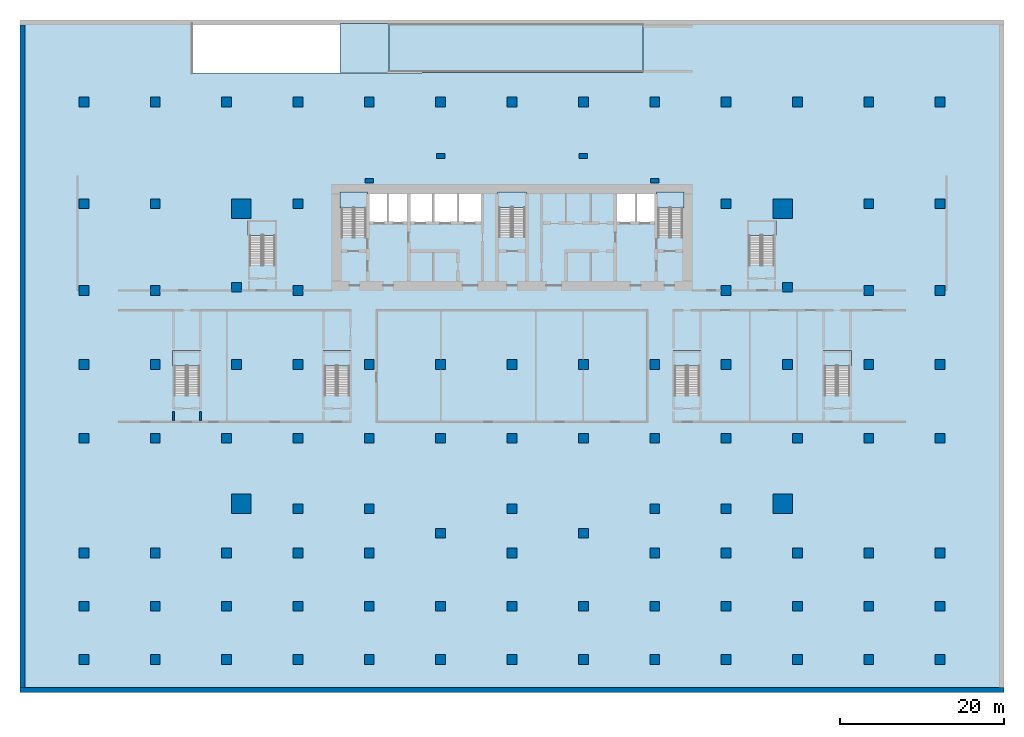
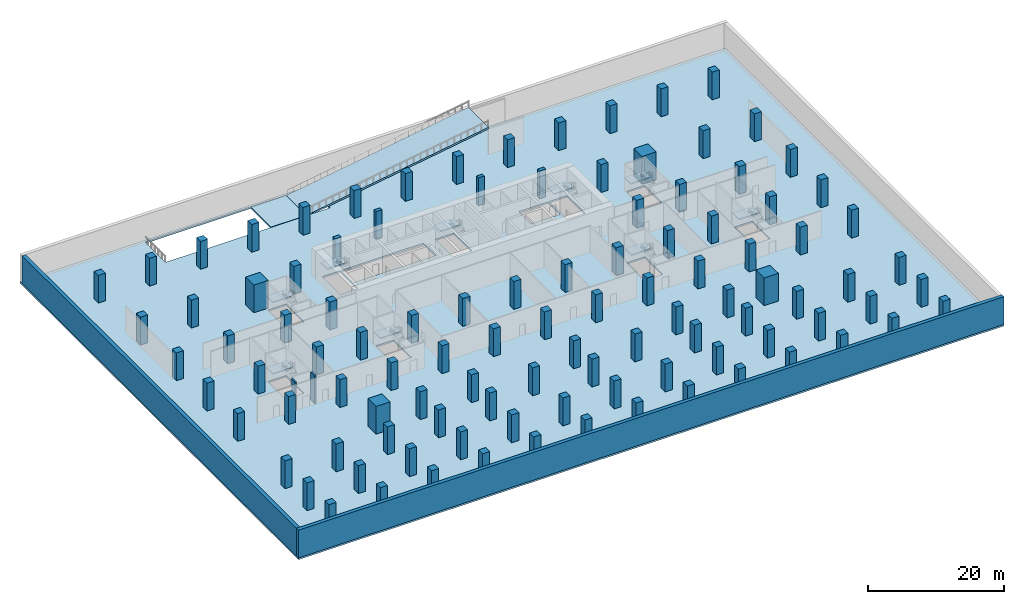
# One storey, part 1 of 8: 105 columns, 12 slabs, 4 walls, 9 elements without a shape of their own.
"""IFC4 building model written with IfcOpenShell, lengths in metres."""

from ifc_helpers import new_model, si_unit, direction, frame, frame_2d, origin, origin_2d, place, context, subcontext, project, spatial, polyline, rectangle, outline, extrude, material, layer, layer_set, material_profile, profile_set, type_object, element, aggregate, save


model = new_model("IFC4")

# Units and contexts
model_context = context("Model", 3, precision=1e-05, world=origin(), true_north=direction((0.0, 1.0)))
body_context = subcontext(model_context, "Body", "Model", "MODEL_VIEW")
ifc_project = project(units=[si_unit("LENGTHUNIT", "METRE"), si_unit("AREAUNIT", "SQUARE_METRE"), si_unit("VOLUMEUNIT", "CUBIC_METRE"), si_unit("PLANEANGLEUNIT", "RADIAN"), si_unit("MASSUNIT", "GRAM", prefix="KILO")], contexts=[model_context])

# Site, building, storey
site_placement = place(None, origin())
site = spatial("IfcSite", under=ifc_project, at=site_placement, CompositionType="ELEMENT")
building_placement = place(site_placement, origin())
building = spatial("IfcBuilding", under=site, at=building_placement, Name="Bicima Exchange Tower", CompositionType="ELEMENT")
storey_placement = place(building_placement, frame((0.0, 0.0, -10.0)))
storey = spatial("IfcBuildingStorey", under=building, at=storey_placement, Name="B2", CompositionType="ELEMENT", Elevation=-10.0)

# Columns
ifc_material_1 = material(Name="Concrete C60/75", Category="concrete")
ifc_material_profile_1 = material_profile(ifc_material_1, rectangle(XDim=1.199951171875, YDim=1.199951171875, at=origin_2d()))
ifc_profile_set_1 = profile_set([ifc_material_profile_1], Name="Concrete C60/75")
column_type_1 = type_object("IfcColumnType", Name="Reinforced concrete basement column 1200 x 1200", PredefinedType="COLUMN", material=ifc_profile_set_1)
for number, where, z_axis, x_axis, name in (
    (1, (-26.10009765625, -39.60009765625, 0.0), (0.0, 0.0, 1.0), (1.0, 0.0, 0.0), "Column"),
    (2, (-26.10009765625, -2.39990234375, 0.0), (0.0, 0.0, 1.0), (1.0, 0.0, 0.0), "Column"),
    (3, (-17.39990234375, -39.60009765625, 0.0), (0.0, 0.0, 1.0), (1.0, 0.0, 0.0), "Column"),
    (4, (-8.699951171875, -42.591064453125, 0.0), (0.0, 0.0, 1.0), (1.0, 0.0, 0.0), "Column"),
    (5, (0.0, -39.60009765625, 0.0), (0.0, 0.0, 1.0), (1.0, 0.0, 0.0), "Column"),
    (6, (8.699951171875, -42.591064453125, 0.0), (0.0, 0.0, 1.0), (1.0, 0.0, 0.0), "Column"),
    (7, (17.39990234375, -39.60009765625, 0.0), (0.0, 0.0, 1.0), (1.0, 0.0, 0.0), "Column"),
    (8, (26.10009765625, -39.60009765625, 0.0), (0.0, 0.0, 1.0), (1.0, 0.0, 0.0), "Column"),
    (9, (26.10009765625, -2.39990234375, 0.0), (0.0, 0.0, 1.0), (1.0, 0.0, 0.0), "Column"),
    (10, (-33.60009765625, -12.60009765625, 0.0), (0.0, 0.0, 1.0), (1.0, 0.0, 0.0), "Column"),
    (11, (-33.60009765625, -22.0, 0.0), (0.0, 0.0, 1.0), (1.0, 0.0, 0.0), "Column"),
    (12, (33.60009765625, -12.60009765625, 0.0), (0.0, 0.0, 1.0), (1.0, 0.0, 0.0), "Column"),
    (13, (33.60009765625, -22.0, 0.0), (0.0, 0.0, 1.0), (1.0, 0.0, 0.0), "Column"),
    (14, (-26.10009765625, -22.0, 0.0), (0.0, 0.0, 1.0), (1.0, 0.0, 0.0), "Column"),
    (15, (-17.39990234375, -22.0, 0.0), (0.0, 0.0, 1.0), (1.0, 0.0, 0.0), "Column"),
    (16, (-8.699951171875, -22.0, 0.0), (0.0, 0.0, 1.0), (1.0, 0.0, 0.0), "Column"),
    (17, (0.0, -22.0, 0.0), (0.0, 0.0, 1.0), (1.0, 0.0, 0.0), "Column"),
    (18, (8.699951171875, -22.0, 0.0), (0.0, 0.0, 1.0), (1.0, 0.0, 0.0), "Column"),
    (19, (17.39990234375, -22.0, 0.0), (0.0, 0.0, 1.0), (1.0, 0.0, 0.0), "Column"),
    (20, (26.10009765625, -22.0, 0.0), (0.0, 0.0, 1.0), (1.0, 0.0, 0.0), "Column"),
    (21, (-52.199951171875, 10.0, 0.0), (0.0, 0.0, 1.0), (1.0, 0.0, 0.0), "Column"),
    (22, (-52.199951171875, -2.39990234375, 0.0), (0.0, 0.0, 1.0), (1.0, 0.0, 0.0), "Column"),
    (23, (-52.199951171875, -13.0, 0.0), (0.0, 0.0, 1.0), (1.0, 0.0, 0.0), "Column"),
    (24, (-52.199951171875, -22.0, 0.0), (0.0, 0.0, 1.0), (1.0, 0.0, 0.0), "Column"),
    (25, (-52.199951171875, -31.0, 0.0), (0.0, 0.0, 1.0), (1.0, 0.0, 0.0), "Column"),
    (26, (-52.199951171875, -45.0, 0.0), (0.0, 0.0, 1.0), (1.0, 0.0, 0.0), "Column"),
    (27, (-52.199951171875, -51.5, 0.0), (0.0, 0.0, 1.0), (1.0, 0.0, 0.0), "Column"),
    (28, (-52.199951171875, -58.0, 0.0), (0.0, 0.0, 1.0), (1.0, 0.0, 0.0), "Column"),
    (29, (-43.5, 10.0, 0.0), (0.0, 0.0, 1.0), (1.0, 0.0, 0.0), "Column"),
    (30, (-43.5, -2.39990234375, 0.0), (0.0, 0.0, 1.0), (1.0, 0.0, 0.0), "Column"),
    (31, (-43.5, -13.0, 0.0), (0.0, 0.0, 1.0), (1.0, 0.0, 0.0), "Column"),
    (32, (-43.5, -22.0, 0.0), (0.0, 0.0, 1.0), (1.0, 0.0, 0.0), "Column"),
    (33, (-43.5, -31.0, 0.0), (0.0, 0.0, 1.0), (1.0, 0.0, 0.0), "Column"),
    (34, (-43.5, -45.0, 0.0), (0.0, 0.0, 1.0), (1.0, 0.0, 0.0), "Column"),
    (35, (-43.5, -51.5, 0.0), (0.0, 0.0, 1.0), (1.0, 0.0, 0.0), "Column"),
    (36, (-43.5, -58.0, 0.0), (0.0, 0.0, 1.0), (1.0, 0.0, 0.0), "Column"),
    (37, (-34.800048828125, 10.0, 0.0), (0.0, 0.0, 1.0), (1.0, 0.0, 0.0), "Column"),
    (38, (-34.800048828125, -31.0, 0.0), (0.0, 0.0, 1.0), (1.0, 0.0, 0.0), "Column"),
    (39, (-34.800048828125, -45.0, 0.0), (0.0, 0.0, 1.0), (1.0, 0.0, 0.0), "Column"),
    (40, (-34.800048828125, -51.5, 0.0), (0.0, 0.0, 1.0), (1.0, 0.0, 0.0), "Column"),
    (41, (-34.800048828125, -58.0, 0.0), (0.0, 0.0, 1.0), (1.0, 0.0, 0.0), "Column"),
    (42, (-26.10009765625, 10.0, 0.0), (0.0, 0.0, 1.0), (1.0, 0.0, 0.0), "Column"),
    (43, (-26.10009765625, -13.0, 0.0), (0.0, 0.0, 1.0), (1.0, 0.0, 0.0), "Column"),
    (44, (-26.10009765625, -31.0, 0.0), (0.0, 0.0, 1.0), (1.0, 0.0, 0.0), "Column"),
    (45, (-26.10009765625, -45.0, 0.0), (0.0, 0.0, 1.0), (1.0, 0.0, 0.0), "Column"),
    (46, (-26.10009765625, -51.5, 0.0), (0.0, 0.0, 1.0), (1.0, 0.0, 0.0), "Column"),
    (47, (-26.10009765625, -58.0, 0.0), (0.0, 0.0, 1.0), (1.0, 0.0, 0.0), "Column"),
    (48, (-17.39990234375, 10.0, 0.0), (0.0, 0.0, 1.0), (1.0, 0.0, 0.0), "Column"),
    (49, (-17.39990234375, -31.0, 0.0), (0.0, 0.0, 1.0), (1.0, 0.0, 0.0), "Column"),
    (50, (-17.39990234375, -45.0, 0.0), (0.0, 0.0, 1.0), (1.0, 0.0, 0.0), "Column"),
    (51, (-17.39990234375, -51.5, 0.0), (0.0, 0.0, 1.0), (1.0, 0.0, 0.0), "Column"),
    (52, (-17.39990234375, -58.0, 0.0), (0.0, 0.0, 1.0), (1.0, 0.0, 0.0), "Column"),
    (53, (-8.699951171875, 10.0, 0.0), (0.0, 0.0, 1.0), (1.0, 0.0, 0.0), "Column"),
    (54, (-8.699951171875, -31.0, 0.0), (0.0, 0.0, 1.0), (1.0, 0.0, 0.0), "Column"),
    (55, (-8.699951171875, -51.5, 0.0), (0.0, 0.0, 1.0), (1.0, 0.0, 0.0), "Column"),
    (56, (-8.699951171875, -58.0, 0.0), (0.0, 0.0, 1.0), (1.0, 0.0, 0.0), "Column"),
    (57, (0.0, 10.0, 0.0), (0.0, 0.0, 1.0), (1.0, 0.0, 0.0), "Column"),
    (58, (0.0, -31.0, 0.0), (0.0, 0.0, 1.0), (1.0, 0.0, 0.0), "Column"),
    (59, (0.0, -45.0, 0.0), (0.0, 0.0, 1.0), (1.0, 0.0, 0.0), "Column"),
    (60, (0.0, -51.5, 0.0), (0.0, 0.0, 1.0), (1.0, 0.0, 0.0), "Column"),
    (61, (0.0, -58.0, 0.0), (0.0, 0.0, 1.0), (1.0, 0.0, 0.0), "Column"),
    (62, (8.699951171875, 10.0, 0.0), (0.0, 0.0, 1.0), (1.0, 0.0, 0.0), "Column"),
    (63, (8.699951171875, -31.0, 0.0), (0.0, 0.0, 1.0), (1.0, 0.0, 0.0), "Column"),
    (64, (8.699951171875, -51.5, 0.0), (0.0, 0.0, 1.0), (1.0, 0.0, 0.0), "Column"),
    (65, (8.699951171875, -58.0, 0.0), (0.0, 0.0, 1.0), (1.0, 0.0, 0.0), "Column"),
    (66, (17.39990234375, 10.0, 0.0), (0.0, 0.0, 1.0), (1.0, 0.0, 0.0), "Column"),
    (67, (17.39990234375, -31.0, 0.0), (0.0, 0.0, 1.0), (1.0, 0.0, 0.0), "Column"),
    (68, (17.39990234375, -45.0, 0.0), (0.0, 0.0, 1.0), (1.0, 0.0, 0.0), "Column"),
    (69, (17.39990234375, -51.5, 0.0), (0.0, 0.0, 1.0), (1.0, 0.0, 0.0), "Column"),
    (70, (17.39990234375, -58.0, 0.0), (0.0, 0.0, 1.0), (1.0, 0.0, 0.0), "Column"),
    (71, (26.10009765625, 10.0, 0.0), (0.0, 0.0, 1.0), (1.0, 0.0, 0.0), "Column"),
    (72, (26.10009765625, -13.0, 0.0), (0.0, 0.0, 1.0), (1.0, 0.0, 0.0), "Column"),
    (73, (26.10009765625, -31.0, 0.0), (0.0, 0.0, 1.0), (1.0, 0.0, 0.0), "Column"),
    (74, (26.10009765625, -45.0, 0.0), (0.0, 0.0, 1.0), (1.0, 0.0, 0.0), "Column"),
    (75, (26.10009765625, -51.5, 0.0), (0.0, 0.0, 1.0), (1.0, 0.0, 0.0), "Column"),
    (76, (26.10009765625, -58.0, 0.0), (0.0, 0.0, 1.0), (1.0, 0.0, 0.0), "Column"),
    (77, (34.800048828125, 10.0, 0.0), (0.0, 0.0, 1.0), (1.0, 0.0, 0.0), "Column"),
    (78, (34.800048828125, -31.0, 0.0), (0.0, 0.0, 1.0), (1.0, 0.0, 0.0), "Column"),
    (79, (34.800048828125, -45.0, 0.0), (0.0, 0.0, 1.0), (1.0, 0.0, 0.0), "Column"),
    (80, (34.800048828125, -51.5, 0.0), (0.0, 0.0, 1.0), (1.0, 0.0, 0.0), "Column"),
    (81, (34.800048828125, -58.0, 0.0), (0.0, 0.0, 1.0), (1.0, 0.0, 0.0), "Column"),
    (82, (43.5, 10.0, 0.0), (0.0, 0.0, 1.0), (1.0, 0.0, 0.0), "Column"),
    (83, (43.5, -2.39990234375, 0.0), (0.0, 0.0, 1.0), (1.0, 0.0, 0.0), "Column"),
    (84, (43.5, -13.0, 0.0), (0.0, 0.0, 1.0), (1.0, 0.0, 0.0), "Column"),
    (85, (43.5, -22.0, 0.0), (0.0, 0.0, 1.0), (1.0, 0.0, 0.0), "Column"),
    (86, (43.5, -31.0, 0.0), (0.0, 0.0, 1.0), (1.0, 0.0, 0.0), "Column"),
    (87, (43.5, -45.0, 0.0), (0.0, 0.0, 1.0), (1.0, 0.0, 0.0), "Column"),
    (88, (43.5, -51.5, 0.0), (0.0, 0.0, 1.0), (1.0, 0.0, 0.0), "Column"),
    (89, (43.5, -58.0, 0.0), (0.0, 0.0, 1.0), (1.0, 0.0, 0.0), "Column"),
    (90, (52.199951171875, 10.0, 0.0), (0.0, 0.0, 1.0), (1.0, 0.0, 0.0), "Column"),
    (91, (52.199951171875, -2.39990234375, 0.0), (0.0, 0.0, 1.0), (1.0, 0.0, 0.0), "Column"),
    (92, (52.199951171875, -13.0, 0.0), (0.0, 0.0, 1.0), (1.0, 0.0, 0.0), "Column"),
    (93, (52.199951171875, -22.0, 0.0), (0.0, 0.0, 1.0), (1.0, 0.0, 0.0), "Column"),
    (94, (52.199951171875, -31.0, 0.0), (0.0, 0.0, 1.0), (1.0, 0.0, 0.0), "Column"),
    (95, (52.199951171875, -45.0, 0.0), (0.0, 0.0, 1.0), (1.0, 0.0, 0.0), "Column"),
    (96, (52.199951171875, -51.5, 0.0), (0.0, 0.0, 1.0), (1.0, 0.0, 0.0), "Column"),
    (97, (52.199951171875, -58.0, 0.0), (0.0, 0.0, 1.0), (1.0, 0.0, 0.0), "Column"),
):
    element("IfcColumn", number, at=place(storey_placement, frame(where, z_axis=z_axis, x_axis=x_axis)), inside=storey, type_object=column_type_1, Name=name, PredefinedType="COLUMN", context=body_context, shape_type="SweptSolid", body=[
        extrude(rectangle(XDim=1.199951171875, YDim=1.199951171875, at=origin_2d()), origin(), (0.0, 0.0, 1.0), 5.0),
    ])
ifc_material_profile_2 = material_profile(ifc_material_1, rectangle(XDim=2.39990234375, YDim=2.39990234375, at=origin_2d()))
ifc_profile_set_2 = profile_set([ifc_material_profile_2], Name="Concrete C60/75")
column_type_2 = type_object("IfcColumnType", Name="Reinforced concrete mega column 2400 x 2400", PredefinedType="COLUMN", material=ifc_profile_set_2)
for number, where, z_axis, x_axis, name in (
    (98, (-33.0, -39.0, 0.0), (0.0, 0.0, 1.0), (1.0, 0.0, 0.0), "Mega column"),
    (99, (-33.0, -3.0, 0.0), (0.0, 0.0, 1.0), (1.0, 0.0, 0.0), "Mega column"),
    (100, (33.0, -39.0, 0.0), (0.0, 0.0, 1.0), (1.0, 0.0, 0.0), "Mega column"),
    (101, (33.0, -3.0, 0.0), (0.0, 0.0, 1.0), (1.0, 0.0, 0.0), "Mega column"),
):
    element("IfcColumn", number, at=place(storey_placement, frame(where, z_axis=z_axis, x_axis=x_axis)), inside=storey, type_object=column_type_2, Name=name, PredefinedType="COLUMN", context=body_context, shape_type="SweptSolid", body=[
        extrude(rectangle(XDim=2.39990234375, YDim=2.39990234375, at=origin_2d()), origin(), (0.0, 0.0, 1.0), 5.0),
    ])
ifc_material_profile_3 = material_profile(ifc_material_1, rectangle(XDim=1.0, YDim=0.60009765625, at=origin_2d()))
ifc_profile_set_3 = profile_set([ifc_material_profile_3], Name="Concrete C60/75")
column_type_3 = type_object("IfcColumnType", Name="Reinforced concrete rear pilaster column 1000 x 600", PredefinedType="COLUMN", material=ifc_profile_set_3)
for number, where, z_axis, x_axis, name in (
    (102, (-8.699951171875, 3.39111328125, 0.0), (0.0, 0.0, 1.0), (1.0, 0.0, 0.0), "Column"),
    (103, (-17.39990234375, 0.39990234375, 0.0), (0.0, 0.0, 1.0), (1.0, 0.0, 0.0), "Column"),
    (104, (8.699951171875, 3.39111328125, 0.0), (0.0, 0.0, 1.0), (1.0, 0.0, 0.0), "Column"),
    (105, (17.39990234375, 0.39990234375, 0.0), (0.0, 0.0, 1.0), (1.0, 0.0, 0.0), "Column"),
):
    element("IfcColumn", number, at=place(storey_placement, frame(where, z_axis=z_axis, x_axis=x_axis)), inside=storey, type_object=column_type_3, Name=name, PredefinedType="COLUMN", context=body_context, shape_type="SweptSolid", body=[
        extrude(rectangle(XDim=1.0, YDim=0.60009765625, at=origin_2d()), origin(), (0.0, 0.0, 1.0), 5.0),
    ])

# Slabs
ifc_material_2 = material(Name="Concrete C40/50", Category="concrete")
ifc_layer_1 = layer(ifc_material_2, 0.300048828125)
ifc_layer_set_1 = layer_set([ifc_layer_1], Name="Concrete C40/50")
slab_type_1 = type_object("IfcSlabType", Name="Ramp pad slab 300 C40/50", PredefinedType="LANDING", material=ifc_layer_set_1)
slab_1_placement = place(storey_placement, frame((0.0, 0.0, -0.300048828125)))
element("IfcSlab", 106, at=slab_1_placement, inside=storey, type_object=slab_type_1, Name="Ramp pad 2", PredefinedType="LANDING", context=body_context, shape_type="SweptSolid", body=[
    extrude(outline(polyline([(-21.0, 13.60009765625), (-15.0, 13.60009765625), (-15.0, 19.550048828125), (-21.0, 19.550048828125), (-21.0, 13.60009765625)])), origin(), (0.0, 0.0, 1.0), 0.300048828125),
])
ifc_layer_2 = layer(ifc_material_2, 0.300048828125)
ifc_layer_set_2 = layer_set([ifc_layer_2], Name="Concrete C40/50")
slab_type_2 = type_object("IfcSlabType", Name="Reinforced concrete flat plate 300", PredefinedType="FLOOR", material=ifc_layer_set_2)
slab_2_placement = place(storey_placement, frame((0.0, 0.0, -0.300048828125)))
element("IfcSlab", 107, at=slab_2_placement, inside=storey, type_object=slab_type_2, Name="Floor slab", PredefinedType="FLOOR", context=body_context, shape_type="SweptSolid", body=[
    extrude(outline(polyline([(-60.0, 20.0), (60.0, 20.0), (60.0, -62.0), (-60.0, -62.0), (-60.0, 20.0)]), holes=[polyline([(-41.175048828125, -25.72509765625), (-38.125, -25.72509765625), (-38.125, -20.52490234375), (-41.175048828125, -20.52490234375), (-41.175048828125, -25.72509765625)]), polyline([(-22.875, -25.72509765625), (-19.824951171875, -25.72509765625), (-19.824951171875, -20.52490234375), (-22.875, -20.52490234375), (-22.875, -25.72509765625)]), polyline([(-31.97509765625, -9.824951171875), (-28.925048828125, -9.824951171875), (-28.925048828125, -4.625), (-31.97509765625, -4.625), (-31.97509765625, -9.824951171875)]), polyline([(-20.800048828125, -6.449951171875), (-17.800048828125, -6.449951171875), (-17.800048828125, -1.199951171875), (-20.800048828125, -1.199951171875), (-20.800048828125, -6.449951171875)]), polyline([(-9.60009765625, -4.800048828125), (-6.60009765625, -4.800048828125), (-3.60009765625, -4.800048828125), (-3.60009765625, -1.199951171875), (-6.60009765625, -1.199951171875), (-9.60009765625, -1.199951171875), (-12.60009765625, -1.199951171875), (-15.10009765625, -1.199951171875), (-17.60009765625, -1.199951171875), (-17.60009765625, -4.800048828125), (-15.10009765625, -4.800048828125), (-12.60009765625, -4.800048828125), (-9.60009765625, -4.800048828125)]), polyline([(-11.0, 13.550048828125), (-11.0, 19.60009765625), (-38.97998046875, 19.60009765625), (-38.97998046875, 13.550048828125), (-11.0, 13.550048828125)]), polyline([(19.824951171875, -25.72509765625), (22.875, -25.72509765625), (22.875, -20.52490234375), (19.824951171875, -20.52490234375), (19.824951171875, -25.72509765625)]), polyline([(38.125, -25.72509765625), (41.175048828125, -25.72509765625), (41.175048828125, -20.52490234375), (38.125, -20.52490234375), (38.125, -25.72509765625)]), polyline([(28.925048828125, -9.824951171875), (31.97509765625, -9.824951171875), (31.97509765625, -4.625), (28.925048828125, -4.625), (28.925048828125, -9.824951171875)]), polyline([(17.800048828125, -6.449951171875), (20.800048828125, -6.449951171875), (20.800048828125, -1.199951171875), (17.800048828125, -1.199951171875), (17.800048828125, -6.449951171875)]), polyline([(-1.574951171875, -6.39990234375), (1.574951171875, -6.39990234375), (1.574951171875, -1.199951171875), (-1.574951171875, -1.199951171875), (-1.574951171875, -6.39990234375)]), polyline([(15.10009765625, -4.800048828125), (17.60009765625, -4.800048828125), (17.60009765625, -1.199951171875), (15.10009765625, -1.199951171875), (12.60009765625, -1.199951171875), (12.60009765625, -4.800048828125), (15.10009765625, -4.800048828125)])]), origin(), (0.0, 0.0, 1.0), 0.300048828125),
])

# Stair, slab
ifc_material_3 = material(Name="Concrete C50/60", Category="concrete")
stair_type_1 = type_object("IfcStairType", Name="Exit stair", PredefinedType="HALF_TURN_STAIR", material=ifc_material_3)
stair_1_placement = place(storey_placement, origin())
stair_1 = element("IfcStair", 108, at=stair_1_placement, inside=storey, type_object=stair_type_1, Name="B2 West exit stair", PredefinedType="HALF_TURN_STAIR")
ifc_layer_3 = layer(ifc_material_3, 0.199951171875)
ifc_layer_set_3 = layer_set([ifc_layer_3], Name="Concrete C50/60")
slab_type_3 = type_object("IfcSlabType", Name="Stair landing slab", PredefinedType="LANDING", material=ifc_layer_set_3)
slab_3_placement = place(storey_placement, frame((0.0, 0.0, 2.300048828125)))
slab_3 = element("IfcSlab", 109, at=slab_3_placement, type_object=slab_type_3, Name="ST-W landing 1", PredefinedType="LANDING", context=body_context, shape_type="SweptSolid", body=[
    extrude(outline(polyline([(-17.60009765625, -2.909912109375), (-17.60009765625, -1.0), (-21.0, -1.0), (-21.0, -2.909912109375), (-17.60009765625, -2.909912109375)])), origin(), (0.0, 0.0, 1.0), 0.199951171875),
])
aggregate(stair_1, [slab_3])

stair_type_2 = type_object("IfcStairType", Name="Exit stair 1500", PredefinedType="HALF_TURN_STAIR", material=ifc_material_3)
stair_2_placement = place(storey_placement, origin())
stair_2 = element("IfcStair", 110, at=stair_2_placement, inside=storey, type_object=stair_type_2, Name="B2 Central exit stair", PredefinedType="HALF_TURN_STAIR")
slab_4_placement = place(storey_placement, frame((0.0, 0.0, 2.300048828125)))
slab_4 = element("IfcSlab", 111, at=slab_4_placement, type_object=slab_type_3, Name="ST-C landing 1", PredefinedType="LANDING", context=body_context, shape_type="SweptSolid", body=[
    extrude(outline(polyline([(1.77490234375, -2.860107421875), (1.77490234375, -1.0), (-1.77490234375, -1.0), (-1.77490234375, -2.860107421875), (1.77490234375, -2.860107421875)])), origin(), (0.0, 0.0, 1.0), 0.199951171875),
])
aggregate(stair_2, [slab_4])

stair_3_placement = place(storey_placement, origin())
stair_3 = element("IfcStair", 112, at=stair_3_placement, inside=storey, type_object=stair_type_1, Name="B2 East exit stair", PredefinedType="HALF_TURN_STAIR")
slab_5_placement = place(storey_placement, frame((0.0, 0.0, 2.300048828125)))
slab_5 = element("IfcSlab", 113, at=slab_5_placement, type_object=slab_type_3, Name="ST-E landing 1", PredefinedType="LANDING", context=body_context, shape_type="SweptSolid", body=[
    extrude(outline(polyline([(21.0, -2.909912109375), (21.0, -1.0), (17.60009765625, -1.0), (17.60009765625, -2.909912109375), (21.0, -2.909912109375)])), origin(), (0.0, 0.0, 1.0), 0.199951171875),
])
aggregate(stair_3, [slab_5])

stair_4_placement = place(storey_placement, origin())
stair_4 = element("IfcStair", 114, at=stair_4_placement, inside=storey, type_object=stair_type_1, Name="B2 West end exit stair", PredefinedType="HALF_TURN_STAIR")
slab_6_placement = place(storey_placement, frame((0.0, 0.0, 2.300048828125)))
slab_6 = element("IfcSlab", 115, at=slab_6_placement, type_object=slab_type_3, Name="ST-WW landing 1", PredefinedType="LANDING", context=body_context, shape_type="SweptSolid", body=[
    extrude(outline(polyline([(-28.72509765625, -6.284912109375), (-28.72509765625, -4.425048828125), (-32.175048828125, -4.425048828125), (-32.175048828125, -6.284912109375), (-28.72509765625, -6.284912109375)])), origin(), (0.0, 0.0, 1.0), 0.199951171875),
])
aggregate(stair_4, [slab_6])

stair_5_placement = place(storey_placement, origin())
stair_5 = element("IfcStair", 116, at=stair_5_placement, inside=storey, type_object=stair_type_1, Name="B2 East end exit stair", PredefinedType="HALF_TURN_STAIR")
slab_7_placement = place(storey_placement, frame((0.0, 0.0, 2.300048828125)))
slab_7 = element("IfcSlab", 117, at=slab_7_placement, type_object=slab_type_3, Name="ST-EE landing 1", PredefinedType="LANDING", context=body_context, shape_type="SweptSolid", body=[
    extrude(outline(polyline([(32.175048828125, -6.284912109375), (32.175048828125, -4.425048828125), (28.72509765625, -4.425048828125), (28.72509765625, -6.284912109375), (32.175048828125, -6.284912109375)])), origin(), (0.0, 0.0, 1.0), 0.199951171875),
])
aggregate(stair_5, [slab_7])

stair_6_placement = place(storey_placement, origin())
stair_6 = element("IfcStair", 118, at=stair_6_placement, inside=storey, type_object=stair_type_1, Name="B2 Podium west stair", PredefinedType="HALF_TURN_STAIR")
slab_8_placement = place(storey_placement, frame((0.0, 0.0, 2.300048828125)))
slab_8 = element("IfcSlab", 119, at=slab_8_placement, type_object=slab_type_3, Name="PS-W landing 1", PredefinedType="LANDING", context=body_context, shape_type="SweptSolid", body=[
    extrude(outline(polyline([(-37.925048828125, -22.18505859375), (-37.925048828125, -20.324951171875), (-41.375, -20.324951171875), (-41.375, -22.18505859375), (-37.925048828125, -22.18505859375)])), origin(), (0.0, 0.0, 1.0), 0.199951171875),
])
aggregate(stair_6, [slab_8])

stair_7_placement = place(storey_placement, origin())
stair_7 = element("IfcStair", 120, at=stair_7_placement, inside=storey, type_object=stair_type_1, Name="B2 Podium inner west stair", PredefinedType="HALF_TURN_STAIR")
slab_9_placement = place(storey_placement, frame((0.0, 0.0, 2.300048828125)))
slab_9 = element("IfcSlab", 121, at=slab_9_placement, type_object=slab_type_3, Name="PS-WI landing 1", PredefinedType="LANDING", context=body_context, shape_type="SweptSolid", body=[
    extrude(outline(polyline([(-19.625, -22.18505859375), (-19.625, -20.324951171875), (-23.074951171875, -20.324951171875), (-23.074951171875, -22.18505859375), (-19.625, -22.18505859375)])), origin(), (0.0, 0.0, 1.0), 0.199951171875),
])
aggregate(stair_7, [slab_9])

stair_8_placement = place(storey_placement, origin())
stair_8 = element("IfcStair", 122, at=stair_8_placement, inside=storey, type_object=stair_type_1, Name="B2 Podium inner east stair", PredefinedType="HALF_TURN_STAIR")
slab_10_placement = place(storey_placement, frame((0.0, 0.0, 2.300048828125)))
slab_10 = element("IfcSlab", 123, at=slab_10_placement, type_object=slab_type_3, Name="PS-EI landing 1", PredefinedType="LANDING", context=body_context, shape_type="SweptSolid", body=[
    extrude(outline(polyline([(23.074951171875, -22.18505859375), (23.074951171875, -20.324951171875), (19.625, -20.324951171875), (19.625, -22.18505859375), (23.074951171875, -22.18505859375)])), origin(), (0.0, 0.0, 1.0), 0.199951171875),
])
aggregate(stair_8, [slab_10])

stair_9_placement = place(storey_placement, origin())
stair_9 = element("IfcStair", 124, at=stair_9_placement, inside=storey, type_object=stair_type_1, Name="B2 Podium east stair", PredefinedType="HALF_TURN_STAIR")
slab_11_placement = place(storey_placement, frame((0.0, 0.0, 2.300048828125)))
slab_11 = element("IfcSlab", 125, at=slab_11_placement, type_object=slab_type_3, Name="PS-E landing 1", PredefinedType="LANDING", context=body_context, shape_type="SweptSolid", body=[
    extrude(outline(polyline([(41.375, -22.18505859375), (41.375, -20.324951171875), (37.925048828125, -20.324951171875), (37.925048828125, -22.18505859375), (41.375, -22.18505859375)])), origin(), (0.0, 0.0, 1.0), 0.199951171875),
])
aggregate(stair_9, [slab_11])

# Slab
ifc_layer_4 = layer(ifc_material_2, 0.300048828125)
ifc_layer_set_4 = layer_set([ifc_layer_4], Name="Concrete C40/50")
slab_type_4 = type_object("IfcSlabType", Name="Vehicle ramp slab 300 C40/50", PredefinedType="FLOOR", material=ifc_layer_set_4)
slab_12_placement = place(storey_placement, frame((-15.0, 16.5751953125, 0.0), z_axis=(0.0, 0.0, 1.0), x_axis=(1.0, 0.0, 0.0)))
element("IfcSlab", 126, at=slab_12_placement, inside=storey, type_object=slab_type_4, Name="Vehicle ramp slab 2", PredefinedType="FLOOR", context=body_context, shape_type="SweptSolid", body=[
    extrude(outline(polyline([(0.0, 0.0), (31.0, 5.0), (31.0, 4.696044921875), (1.884033203125, 0.0), (0.0, 0.0)])), frame((0.0, 2.97509765625, 0.0), z_axis=(0.0, -1.0, 0.0), x_axis=(1.0, 0.0, 0.0)), (0.0, 0.0, 1.0), 5.949951171875),
])

# Walls
ifc_layer_5 = layer(ifc_material_2, 0.60009765625)
ifc_layer_set_5 = layer_set([ifc_layer_5], Name="Concrete C40/50")
wall_type_1 = type_object("IfcWallType", Name="Basement retaining wall 600", PredefinedType="SOLIDWALL", material=ifc_layer_set_5)
wall_1_placement = place(storey_placement, frame((-60.0, -61.699951171875, 0.0), z_axis=(0.0, 0.0, 1.0), x_axis=(1.0, 0.0, 0.0)))
element("IfcWall", 127, at=wall_1_placement, inside=storey, type_object=wall_type_1, Name="Retaining wall south", PredefinedType="SOLIDWALL", context=body_context, shape_type="SweptSolid", body=[
    extrude(rectangle(XDim=120.0, YDim=0.60009765625, at=frame_2d((60.0, 0.0))), origin(), (0.0, 0.0, 1.0), 5.0),
])
wall_2_placement = place(storey_placement, frame((-59.699951171875, -61.39990234375, 0.0), z_axis=(0.0, 0.0, 1.0), x_axis=(0.0, 1.0, 0.0)))
element("IfcWall", 128, at=wall_2_placement, inside=storey, type_object=wall_type_1, Name="Retaining wall west", PredefinedType="SOLIDWALL", context=body_context, shape_type="SweptSolid", body=[
    extrude(rectangle(XDim=80.7998046875, YDim=0.60009765625, at=frame_2d((40.39990234375, 0.0))), origin(), (0.0, 0.0, 1.0), 5.0),
])
ifc_layer_6 = layer(ifc_material_3, 0.25)
ifc_layer_set_6 = layer_set([ifc_layer_6], Name="Concrete C50/60")
wall_type_2 = type_object("IfcWallType", Name="RC core wall 250 C50/60", PredefinedType="SHEAR", material=ifc_layer_set_6)
for number, where, z_axis, x_axis, name in (
    (129, (-41.300048828125, -28.89990234375, 0.0), (0.0, 0.0, 1.0), (0.0, 1.0, 0.0), "stair wall 24"),
    (130, (-38.0, -28.89990234375, 0.0), (0.0, 0.0, 1.0), (0.0, 1.0, 0.0), "stair wall 25"),
):
    element("IfcWall", number, at=place(storey_placement, frame(where, z_axis=z_axis, x_axis=x_axis)), inside=storey, type_object=wall_type_2, Name=name, PredefinedType="SHEAR", context=body_context, shape_type="SweptSolid", body=[
        extrude(rectangle(XDim=1.14990234375, YDim=0.25, at=frame_2d((0.574951171875, 0.0))), origin(), (0.0, 0.0, 1.0), 5.0),
    ])

save(model, "model.ifc")
